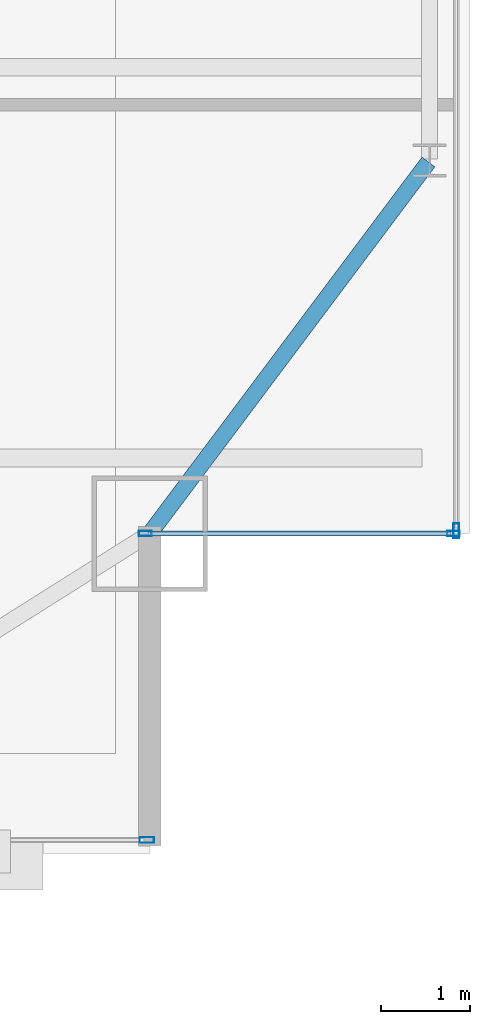
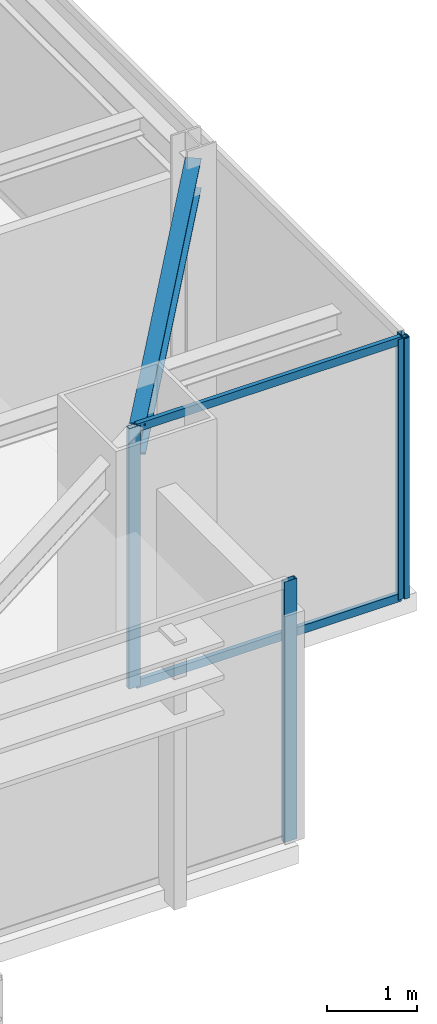
# One storey, part 16 of 31: 6 members, 1 beam, 3 elements without a shape of their own.
"""IFC4 building model written with IfcOpenShell, lengths in metres."""

from ifc_helpers import new_model, si_unit, direction, frame, origin, origin_2d, place, context, subcontext, project, spatial, hollow_rectangle, i_section, extrude, source, transform, mapped, material, layer, layer_set, material_profile, profile_set, type_object, type_shapes, element, aggregate, save


model = new_model("IFC4")

# Units and contexts
model_context = context("Model", 3, precision=1e-05, world=origin(), true_north=direction((0.0, 1.0)))
body_context = subcontext(model_context, "Body", "Model", "MODEL_VIEW")
ifc_project = project(units=[si_unit("LENGTHUNIT", "METRE"), si_unit("AREAUNIT", "SQUARE_METRE"), si_unit("VOLUMEUNIT", "CUBIC_METRE"), si_unit("PLANEANGLEUNIT", "RADIAN"), si_unit("MASSUNIT", "GRAM", prefix="KILO")], contexts=[model_context])

# Site, building, storey
site_placement = place(None, origin())
site = spatial("IfcSite", under=ifc_project, at=site_placement, CompositionType="ELEMENT")
building_placement = place(site_placement, origin())
building = spatial("IfcBuilding", under=site, at=building_placement, Name="Varnel Quay Broadcast Tower", CompositionType="ELEMENT")
storey_placement = place(building_placement, frame((0.0, 0.0, 183.800048828125)))
storey = spatial("IfcBuildingStorey", under=building, at=storey_placement, Name="L45", CompositionType="ELEMENT", Elevation=183.800048828125)

# Beam
ifc_material_1 = material(Name="Structural Steel CSA G40.21 350W", Category="steel")
ifc_material_profile_1 = material_profile(ifc_material_1, i_section(OverallWidth=0.180908203125, OverallDepth=0.4169921875, WebThickness=0.010986328125, FlangeThickness=0.018310546875, FilletRadius=0.011962890625, at=origin_2d()), Name="W410X85")
ifc_profile_set_1 = profile_set([ifc_material_profile_1], Name="Structural Steel CSA G40.21 350W")
beam_type = type_object("IfcBeamType", Name="Beam_W410X85", PredefinedType="SPANDREL", material=ifc_profile_set_1)
shared_shape_1 = source(origin(), body_context, "Body", "SweptSolid", [
    extrude(i_section(OverallWidth=0.180908203125, OverallDepth=0.4169921875, WebThickness=0.010986328125, FlangeThickness=0.018310546875, FilletRadius=0.011962890625, at=origin_2d()), origin(), (0.0, 0.0, 1.0), 5.2099609375),
])
type_shapes(beam_type, [shared_shape_1])
beam_placement = place(storey_placement, frame((57.412109375, 10.81591796875, 3.341552734375), z_axis=(0.6, 0.8, 0.0), x_axis=(-0.8, 0.6, 0.0)))
element("IfcBeam", 1, at=beam_placement, inside=storey, type_object=beam_type, Name="L45 East Spandrel MC-SE-TC-E1", PredefinedType="SPANDREL", context=body_context, shape_type="MappedRepresentation", body=[
    mapped(shared_shape_1, transform((0.0, 0.0, 0.0), x_axis=(1.0, 0.0, 0.0), y_axis=(0.0, 1.0, 0.0), z_axis=(0.0, 0.0, 1.0), scale=1.0)),
])

# Curtain wall, members
ifc_material_2 = material(Name="Anodised Bronze Aluminium 6063-T6", Category="aluminium")
ifc_layer_1 = layer(ifc_material_2, 0.18994140625, Name="Anodised Bronze Aluminium 6063-T6")
ifc_layer_set_1 = layer_set([ifc_layer_1], Name="Anodised Bronze Aluminium 6063-T6")
curtain_wall_type_1 = type_object("IfcCurtainWallType", Name="CW_NotchCorner", PredefinedType="NOTDEFINED", material=ifc_layer_set_1)
curtain_wall_1_placement = place(storey_placement, origin())
curtain_wall_1 = element("IfcCurtainWall", 2, at=curtain_wall_1_placement, inside=storey, type_object=curtain_wall_type_1, Name="L45 SE Notch Curtain Wall", PredefinedType="NOTDEFINED")
ifc_material_profile_2 = material_profile(ifc_material_2, hollow_rectangle(XDim=0.054931640625, YDim=0.110107421875, WallThickness=0.0029296875, at=origin_2d()), Name="ALU55X110X3")
ifc_profile_set_2 = profile_set([ifc_material_profile_2], Name="Anodised Bronze Aluminium 6063-T6")
member_type_1 = type_object("IfcMemberType", Name="Tran_CWS-04", PredefinedType="USERDEFINED", material=ifc_profile_set_2)
shared_shape_2 = source(origin(), body_context, "Body", "SweptSolid", [
    extrude(hollow_rectangle(XDim=0.054931640625, YDim=0.110107421875, WallThickness=0.0029296875, at=origin_2d()), origin(), (0.0, 0.0, 1.0), 3.41015625),
])
type_shapes(member_type_1, [shared_shape_2])
member_1_placement = place(storey_placement, frame((57.3798828125, 10.800048828125, 0.02734375), z_axis=(1.0, 0.0, 0.0), x_axis=(0.0, 1.0, 0.0)))
member_1 = element("IfcMember", 3, at=member_1_placement, type_object=member_type_1, Name="CWS-04 transom 1.1", ObjectType="TRANSOM", PredefinedType="USERDEFINED", context=body_context, shape_type="MappedRepresentation", body=[
    mapped(shared_shape_2, transform((0.0, 0.0, 0.0), x_axis=(1.0, 0.0, 0.0), y_axis=(0.0, 1.0, 0.0), z_axis=(0.0, 0.0, 1.0), scale=1.0)),
])
member_2_placement = place(storey_placement, frame((57.3798828125, 10.800048828125, 3.5224609375), z_axis=(1.0, 0.0, 0.0), x_axis=(0.0, 1.0, 0.0)))
member_2 = element("IfcMember", 4, at=member_2_placement, type_object=member_type_1, Name="CWS-04 transom 1.2", ObjectType="TRANSOM", PredefinedType="USERDEFINED", context=body_context, shape_type="MappedRepresentation", body=[
    mapped(shared_shape_2, transform((0.0, 0.0, 0.0), x_axis=(1.0, 0.0, 0.0), y_axis=(0.0, 1.0, 0.0), z_axis=(0.0, 0.0, 1.0), scale=1.0)),
])
ifc_material_profile_3 = material_profile(ifc_material_2, hollow_rectangle(XDim=0.06005859375, YDim=0.14501953125, WallThickness=0.00341796875, at=origin_2d()), Name="ALU60X145X3.5")
ifc_profile_set_3 = profile_set([ifc_material_profile_3], Name="Anodised Bronze Aluminium 6063-T6")
member_type_2 = type_object("IfcMemberType", Name="Mull_CWS-04", PredefinedType="MULLION", material=ifc_profile_set_3)
shared_shape_3 = source(origin(), body_context, "Body", "SweptSolid", [
    extrude(hollow_rectangle(XDim=0.06005859375, YDim=0.14501953125, WallThickness=0.00341796875, at=origin_2d()), origin(), (0.0, 0.0, 1.0), 3.550048828125),
])
type_shapes(member_type_2, [shared_shape_3])
member_3_placement = place(storey_placement, frame((57.35009765625, 10.800048828125, 0.0), z_axis=(0.0, 0.0, 1.0), x_axis=(0.0, 1.0, 0.0)))
member_3 = element("IfcMember", 5, at=member_3_placement, type_object=member_type_2, Name="CWS-04 mullion 1", PredefinedType="MULLION", context=body_context, shape_type="MappedRepresentation", body=[
    mapped(shared_shape_3, transform((0.0, 0.0, 0.0), x_axis=(1.0, 0.0, 0.0), y_axis=(0.0, 1.0, 0.0), z_axis=(0.0, 0.0, 1.0), scale=1.0)),
])
member_4_placement = place(storey_placement, frame((60.820068359375, 10.800048828125, 0.0), z_axis=(0.0, 0.0, 1.0), x_axis=(0.0, 1.0, 0.0)))
member_4 = element("IfcMember", 6, at=member_4_placement, type_object=member_type_2, Name="CWS-04 mullion 2", PredefinedType="MULLION", context=body_context, shape_type="MappedRepresentation", body=[
    mapped(shared_shape_3, transform((0.0, 0.0, 0.0), x_axis=(1.0, 0.0, 0.0), y_axis=(0.0, 1.0, 0.0), z_axis=(0.0, 0.0, 1.0), scale=1.0)),
])
aggregate(curtain_wall_1, [member_3, member_4, member_1, member_2])

# Curtain wall, member
ifc_layer_2 = layer(ifc_material_2, 0.18994140625, Name="Anodised Bronze Aluminium 6063-T6")
ifc_layer_set_2 = layer_set([ifc_layer_2], Name="Anodised Bronze Aluminium 6063-T6")
curtain_wall_type_2 = type_object("IfcCurtainWallType", Name="CW_UpperTower", PredefinedType="NOTDEFINED", material=ifc_layer_set_2)
curtain_wall_2_placement = place(storey_placement, origin())
curtain_wall_2 = element("IfcCurtainWall", 7, at=curtain_wall_2_placement, inside=storey, type_object=curtain_wall_type_2, Name="L45 South Unitised Curtain Wall 3", PredefinedType="NOTDEFINED")
ifc_material_profile_4 = material_profile(ifc_material_2, hollow_rectangle(XDim=0.06494140625, YDim=0.1650390625, WallThickness=0.00341796875, at=origin_2d()), Name="ALU65X165X3.5")
ifc_profile_set_4 = profile_set([ifc_material_profile_4], Name="Anodised Bronze Aluminium 6063-T6")
member_type_3 = type_object("IfcMemberType", Name="Mull_CWS-03", PredefinedType="MULLION", material=ifc_profile_set_4)
shared_shape_4 = source(origin(), body_context, "Body", "SweptSolid", [
    extrude(hollow_rectangle(XDim=0.06494140625, YDim=0.1650390625, WallThickness=0.00341796875, at=origin_2d()), origin(), (0.0, 0.0, 1.0), 3.550048828125),
])
type_shapes(member_type_3, [shared_shape_4])
member_5_placement = place(storey_placement, frame((57.367431640625, 7.35009765625, 0.0), z_axis=(0.0, 0.0, 1.0), x_axis=(0.0, 1.0, 0.0)))
member_5 = element("IfcMember", 8, at=member_5_placement, type_object=member_type_3, Name="CWS-03 mullion 2", PredefinedType="MULLION", context=body_context, shape_type="MappedRepresentation", body=[
    mapped(shared_shape_4, transform((0.0, 0.0, 0.0), x_axis=(1.0, 0.0, 0.0), y_axis=(0.0, 1.0, 0.0), z_axis=(0.0, 0.0, 1.0), scale=1.0)),
])
aggregate(curtain_wall_2, [member_5])

curtain_wall_3_placement = place(storey_placement, origin())
curtain_wall_3 = element("IfcCurtainWall", 9, at=curtain_wall_3_placement, inside=storey, type_object=curtain_wall_type_2, Name="L45 East Unitised Curtain Wall", PredefinedType="NOTDEFINED")
member_6_placement = place(storey_placement, frame((60.85009765625, 10.83251953125, 0.0), z_axis=(0.0, 0.0, 1.0), x_axis=(-1.0, 0.0, 0.0)))
member_6 = element("IfcMember", 10, at=member_6_placement, type_object=member_type_3, Name="CWS-03 mullion 1", PredefinedType="MULLION", context=body_context, shape_type="MappedRepresentation", body=[
    mapped(shared_shape_4, transform((0.0, 0.0, 0.0), x_axis=(1.0, 0.0, 0.0), y_axis=(0.0, 1.0, 0.0), z_axis=(0.0, 0.0, 1.0), scale=1.0)),
])
aggregate(curtain_wall_3, [member_6])

save(model, "model.ifc")
